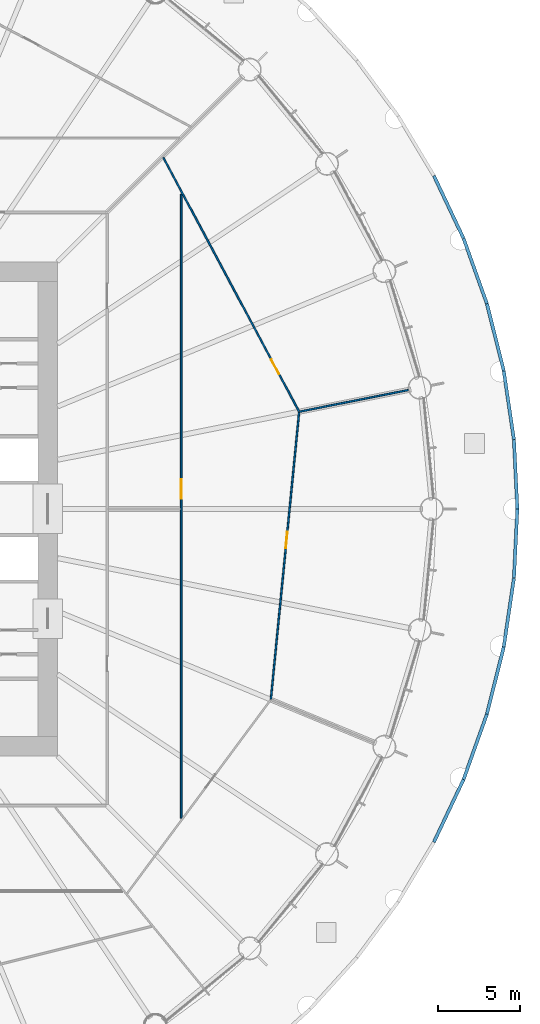
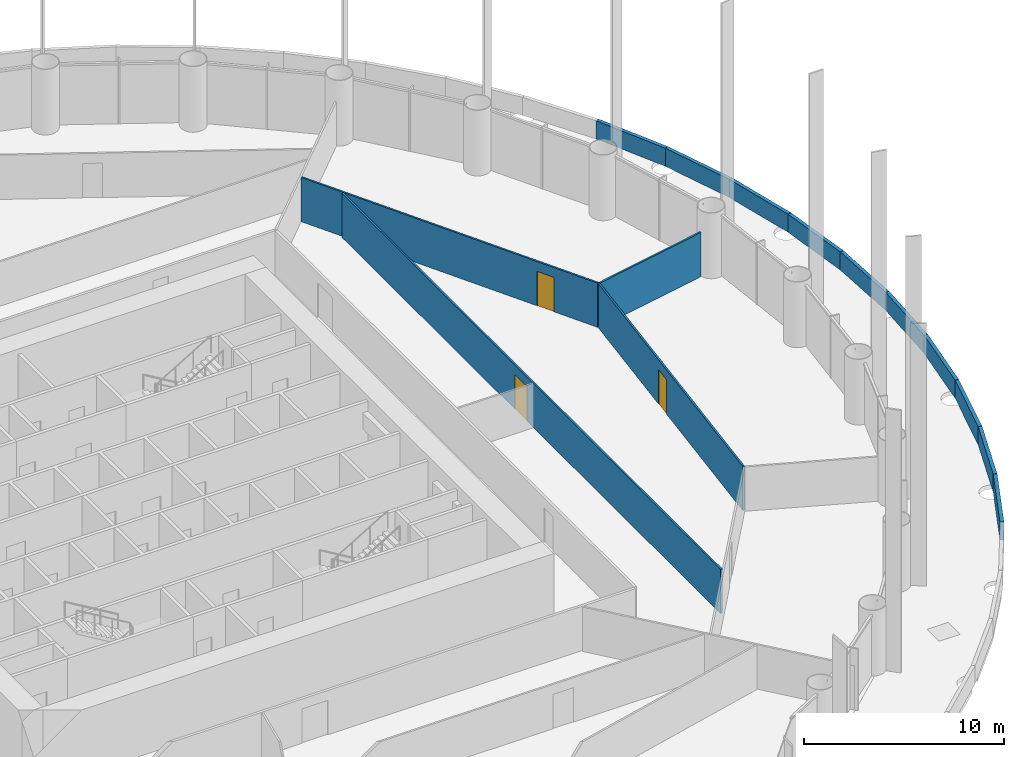
# One storey, part 13 of 17: 14 walls, 3 doors, 3 openings.
"""IFC4 building model written with IfcOpenShell, lengths in metres."""

from ifc_helpers import new_model, si_unit, direction, frame, frame_2d, origin, place, context, subcontext, project, spatial, rectangle, extrude, material, layer, layer_set, type_object, element, fill, save


model = new_model("IFC4")

# Units and contexts
model_context = context("Model", 3, precision=1e-05, world=origin(), true_north=direction((0.0, 1.0)))
body_context = subcontext(model_context, "Body", "Model", "MODEL_VIEW")
ifc_project = project(units=[si_unit("LENGTHUNIT", "METRE"), si_unit("AREAUNIT", "SQUARE_METRE"), si_unit("VOLUMEUNIT", "CUBIC_METRE"), si_unit("PLANEANGLEUNIT", "RADIAN"), si_unit("MASSUNIT", "GRAM", prefix="KILO")], contexts=[model_context])

# Site, building, storey
site_placement = place(None, origin())
site = spatial("IfcSite", under=ifc_project, at=site_placement, CompositionType="ELEMENT")
building_placement = place(site_placement, origin())
building = spatial("IfcBuilding", under=site, at=building_placement, Name="Corvane Civic Tower", CompositionType="ELEMENT")
storey_placement = place(building_placement, frame((0.0, 0.0, 37.0)))
storey = spatial("IfcBuildingStorey", under=building, at=storey_placement, Name="L07", CompositionType="ELEMENT", Elevation=37.0)

# Walls
ifc_material_1 = material(Name="Limestone cladding", Category="masonry")
ifc_layer_1 = layer(ifc_material_1, 0.199951171875)
ifc_layer_set_1 = layer_set([ifc_layer_1], Name="Limestone cladding")
wall_type_1 = type_object("IfcWallType", Name="PODIUM-W-PARAPET-200", PredefinedType="PARAPET", material=ifc_layer_set_1)
wall_1_placement = place(storey_placement, frame((37.83642578125, -20.21826171875, 0.0), z_axis=(0.0, 0.0, 1.0), x_axis=(0.427551519689, 0.903990983369, 0.0)))
element("IfcWall", 1, at=wall_1_placement, inside=storey, type_object=wall_type_1, Name="Drum roof parapet 44", PredefinedType="PARAPET", context=body_context, shape_type="SweptSolid", body=[
    extrude(rectangle(XDim=4.199951171875, YDim=0.199951171875, at=frame_2d((2.10009765625, 0.0))), origin(), (0.0, 0.0, 1.0), 1.10009765625),
])
wall_2_placement = place(storey_placement, frame((39.635986328125, -16.412109375, 0.0), z_axis=(0.0, 0.0, 1.0), x_axis=(0.336888747296, 0.94154446095, 0.0)))
element("IfcWall", 2, at=wall_2_placement, inside=storey, type_object=wall_type_1, Name="Drum roof parapet 45", PredefinedType="PARAPET", context=body_context, shape_type="SweptSolid", body=[
    extrude(rectangle(XDim=4.19970703125, YDim=0.199951171875, at=frame_2d((2.099853515625, 0.0))), origin(), (0.0, 0.0, 1.0), 1.10009765625),
])
wall_3_placement = place(storey_placement, frame((41.053955078125, -12.4482421875, 0.0), z_axis=(0.0, 0.0, 1.0), x_axis=(0.242986967766, 0.970029552898, 0.0)))
element("IfcWall", 3, at=wall_3_placement, inside=storey, type_object=wall_type_1, Name="Drum roof parapet 46", PredefinedType="PARAPET", context=body_context, shape_type="SweptSolid", body=[
    extrude(rectangle(XDim=4.199951171875, YDim=0.199951171875, at=frame_2d((2.10009765625, 0.0))), origin(), (0.0, 0.0, 1.0), 1.10009765625),
])
wall_4_placement = place(storey_placement, frame((42.076416015625, -8.364501953125, 0.0), z_axis=(0.0, 0.0, 1.0), x_axis=(0.146725630276, 0.989177228519, 0.0)))
element("IfcWall", 4, at=wall_4_placement, inside=storey, type_object=wall_type_1, Name="Drum roof parapet 47", PredefinedType="PARAPET", context=body_context, shape_type="SweptSolid", body=[
    extrude(rectangle(XDim=4.19970703125, YDim=0.199951171875, at=frame_2d((2.099853515625, 0.0))), origin(), (0.0, 0.0, 1.0), 1.10009765625),
])
for number, where, z_axis, x_axis, name in (
    (5, (42.693603515625, -4.199951171875, 0.0), (0.0, 0.0, 1.0), (0.049062018364, 0.998795734049, 0.0), "Drum roof parapet 48"),
    (6, (42.899658203125, 0.005126953125, 0.0), (0.0, 0.0, 1.0), (-0.049062018364, 0.998795734049, 0.0), "Drum roof parapet 49"),
):
    element("IfcWall", number, at=place(storey_placement, frame(where, z_axis=z_axis, x_axis=x_axis)), inside=storey, type_object=wall_type_1, Name=name, PredefinedType="PARAPET", context=body_context, shape_type="SweptSolid", body=[
        extrude(rectangle(XDim=4.199951171875, YDim=0.199951171875, at=frame_2d((2.10009765625, 0.0))), origin(), (0.0, 0.0, 1.0), 1.10009765625),
    ])
wall_5_placement = place(storey_placement, frame((42.692626953125, 4.210205078125, 0.0), z_axis=(0.0, 0.0, 1.0), x_axis=(-0.146725630276, 0.989177228519, 0.0)))
element("IfcWall", 7, at=wall_5_placement, inside=storey, type_object=wall_type_1, Name="Drum roof parapet 50", PredefinedType="PARAPET", context=body_context, shape_type="SweptSolid", body=[
    extrude(rectangle(XDim=4.19970703125, YDim=0.199951171875, at=frame_2d((2.099853515625, 0.0))), origin(), (0.0, 0.0, 1.0), 1.10009765625),
])
wall_6_placement = place(storey_placement, frame((42.074462890625, 8.374267578125, 0.0), z_axis=(0.0, 0.0, 1.0), x_axis=(-0.242986967766, 0.970029552898, 0.0)))
element("IfcWall", 8, at=wall_6_placement, inside=storey, type_object=wall_type_1, Name="Drum roof parapet 51", PredefinedType="PARAPET", context=body_context, shape_type="SweptSolid", body=[
    extrude(rectangle(XDim=4.199951171875, YDim=0.199951171875, at=frame_2d((2.10009765625, 0.0))), origin(), (0.0, 0.0, 1.0), 1.10009765625),
])
wall_7_placement = place(storey_placement, frame((41.05078125, 12.4580078125, 0.0), z_axis=(0.0, 0.0, 1.0), x_axis=(-0.336888747296, 0.94154446095, 0.0)))
element("IfcWall", 9, at=wall_7_placement, inside=storey, type_object=wall_type_1, Name="Drum roof parapet 52", PredefinedType="PARAPET", context=body_context, shape_type="SweptSolid", body=[
    extrude(rectangle(XDim=4.19970703125, YDim=0.199951171875, at=frame_2d((2.099853515625, 0.0))), origin(), (0.0, 0.0, 1.0), 1.10009765625),
])
wall_8_placement = place(storey_placement, frame((39.632080078125, 16.421630859375, 0.0), z_axis=(0.0, 0.0, 1.0), x_axis=(-0.427551519689, 0.903990983369, 0.0)))
element("IfcWall", 10, at=wall_8_placement, inside=storey, type_object=wall_type_1, Name="Drum roof parapet 53", PredefinedType="PARAPET", context=body_context, shape_type="SweptSolid", body=[
    extrude(rectangle(XDim=4.199951171875, YDim=0.199951171875, at=frame_2d((2.10009765625, 0.0))), origin(), (0.0, 0.0, 1.0), 1.10009765625),
])

# Wall, opening, door
ifc_material_2 = material(Name="Plasterboard")
ifc_layer_2 = layer(ifc_material_2, 0.10009765625)
ifc_layer_set_2 = layer_set([ifc_layer_2], Name="Plasterboard")
wall_type_2 = type_object("IfcWallType", Name="Partition 100 plasterboard on studs", PredefinedType="PARTITIONING", material=ifc_layer_set_2)
wall_9_placement = place(storey_placement, frame((22.5, -18.7548828125, 0.0), z_axis=(0.0, 0.0, 1.0), x_axis=(0.0, 1.0, 0.0)))
wall_9 = element("IfcWall", 11, at=wall_9_placement, inside=storey, type_object=wall_type_2, Name="Partition L07.014", PredefinedType="PARTITIONING", context=body_context, shape_type="SweptSolid", body=[
    extrude(rectangle(XDim=37.850341796875, YDim=0.10009765625, at=frame_2d((18.92529296875, 0.0))), origin(), (0.0, 0.0, 1.0), 2.699951171875),
])
opening_1_placement = place(wall_9_placement, frame((19.369873046875, 0.0, 0.0)))
opening_1 = element("IfcOpeningElement", 12, at=opening_1_placement, cuts=wall_9, Name="Opening L07.004", PredefinedType="OPENING", context=body_context, shape_type="SweptSolid", body=[
    extrude(rectangle(XDim=1.199951171875, YDim=2.10009765625, at=frame_2d((0.60009765625, 1.050048828125))), frame((0.0, 0.06005859375, 0.0), z_axis=(0.0, -1.0, 0.0), x_axis=(1.0, 0.0, 0.0)), (0.0, 0.0, 1.0), 0.1201171875),
])
ifc_material_3 = material(Name="Timber", Category="wood")
door_type_1 = type_object("IfcDoorType", Name="Double door 1200", OperationType="NOTDEFINED", PredefinedType="DOOR", material=ifc_material_3)
door_1_placement = place(opening_1_placement, frame((1.199951171875, 0.0, 0.0), z_axis=(0.0, 0.0, 1.0), x_axis=(-1.0, 0.0, 0.0)))
door_1 = element("IfcDoor", 13, at=door_1_placement, inside=storey, type_object=door_type_1, Name="Door L07.004", OperationType="DOUBLE_DOOR_SINGLE_SWING", OverallHeight=2.10009765625, OverallWidth=1.199951171875, PredefinedType="DOOR", context=body_context, shape_type="SweptSolid", body=[
    extrude(rectangle(XDim=1.199951171875, YDim=2.10009765625, at=frame_2d((0.60009765625, 1.050048828125))), frame((0.0, 0.02490234375, 0.0), z_axis=(0.0, -1.0, 0.0), x_axis=(1.0, 0.0, 0.0)), (0.0, 0.0, 1.0), 0.050048828125),
])
fill(opening_1, door_1)

wall_10_placement = place(storey_placement, frame((27.942626953125, -11.535888671875, 0.0), z_axis=(0.0, 0.0, 1.0), x_axis=(0.098017280566, 0.99518471286, 0.0)))
wall_10 = element("IfcWall", 14, at=wall_10_placement, inside=storey, type_object=wall_type_2, Name="Partition L07.021", PredefinedType="PARTITIONING", context=body_context, shape_type="SweptSolid", body=[
    extrude(rectangle(XDim=17.48291015625, YDim=0.10009765625, at=frame_2d((8.741455078125, 0.0))), origin(), (0.0, 0.0, 1.0), 2.699951171875),
])
opening_2_placement = place(wall_10_placement, frame((9.19873046875, 0.0, 0.0)))
opening_2 = element("IfcOpeningElement", 15, at=opening_2_placement, cuts=wall_10, Name="Opening L07.002", PredefinedType="OPENING", context=body_context, shape_type="SweptSolid", body=[
    extrude(rectangle(XDim=1.0, YDim=2.10009765625, at=frame_2d((0.5, 1.050048828125))), frame((0.0, 0.06005859375, 0.0), z_axis=(0.0, -1.0, 0.0), x_axis=(1.0, 0.0, 0.0)), (0.0, 0.0, 1.0), 0.1201171875),
])
ifc_material_4 = material(Name="Timber", Category="wood")
door_type_2 = type_object("IfcDoorType", Name="Single door 1000", OperationType="NOTDEFINED", PredefinedType="DOOR", material=ifc_material_4)
door_2_placement = place(opening_2_placement, frame((1.0, 0.0, 0.0), z_axis=(0.0, 0.0, 1.0), x_axis=(-1.0, 0.0, 0.0)))
door_2 = element("IfcDoor", 16, at=door_2_placement, inside=storey, type_object=door_type_2, Name="Door L07.002", OperationType="SINGLE_SWING_LEFT", OverallHeight=2.10009765625, OverallWidth=1.0, PredefinedType="DOOR", context=body_context, shape_type="SweptSolid", body=[
    extrude(rectangle(XDim=1.0, YDim=2.10009765625, at=frame_2d((0.5, 1.050048828125))), frame((0.0, 0.02490234375, 0.0), z_axis=(0.0, -1.0, 0.0), x_axis=(1.0, 0.0, 0.0)), (0.0, 0.0, 1.0), 0.050048828125),
])
fill(opening_2, door_2)

# Wall
wall_11_placement = place(storey_placement, frame((29.6962890625, 5.906982421875, 0.0), z_axis=(0.0, 0.0, 1.0), x_axis=(0.980788572794, 0.195073769318, 0.0)))
element("IfcWall", 17, at=wall_11_placement, inside=storey, type_object=wall_type_2, Name="Partition L07.025", PredefinedType="PARTITIONING", context=body_context, shape_type="SweptSolid", body=[
    extrude(rectangle(XDim=6.7119140625, YDim=0.10009765625, at=frame_2d((3.35595703125, 0.0))), origin(), (0.0, 0.0, 1.0), 2.699951171875),
])

# Wall, opening, door
wall_12_placement = place(storey_placement, frame((21.415283203125, 21.32421875, 0.0), z_axis=(0.0, 0.0, 1.0), x_axis=(0.471393967078, -0.881922744804, 0.0)))
wall_12 = element("IfcWall", 18, at=wall_12_placement, inside=storey, type_object=wall_type_2, Name="Partition L07.026", PredefinedType="PARTITIONING", context=body_context, shape_type="SweptSolid", body=[
    extrude(rectangle(XDim=17.45263671875, YDim=0.10009765625, at=frame_2d((8.726318359375, 0.0))), origin(), (0.0, 0.0, 1.0), 2.699951171875),
])
opening_3_placement = place(wall_12_placement, frame((13.89306640625, 0.0, 0.0)))
opening_3 = element("IfcOpeningElement", 19, at=opening_3_placement, cuts=wall_12, Name="Opening L07.001", PredefinedType="OPENING", context=body_context, shape_type="SweptSolid", body=[
    extrude(rectangle(XDim=1.0, YDim=2.10009765625, at=frame_2d((0.5, 1.050048828125))), frame((0.0, 0.06005859375, 0.0), z_axis=(0.0, -1.0, 0.0), x_axis=(1.0, 0.0, 0.0)), (0.0, 0.0, 1.0), 0.1201171875),
])
door_3_placement = place(opening_3_placement, origin())
door_3 = element("IfcDoor", 20, at=door_3_placement, inside=storey, type_object=door_type_2, Name="Door L07.001", OperationType="SINGLE_SWING_RIGHT", OverallHeight=2.10009765625, OverallWidth=1.0, PredefinedType="DOOR", context=body_context, shape_type="SweptSolid", body=[
    extrude(rectangle(XDim=1.0, YDim=2.10009765625, at=frame_2d((0.5, 1.050048828125))), frame((0.0, 0.02490234375, 0.0), z_axis=(0.0, -1.0, 0.0), x_axis=(1.0, 0.0, 0.0)), (0.0, 0.0, 1.0), 0.050048828125),
])
fill(opening_3, door_3)

save(model, "model.ifc")
